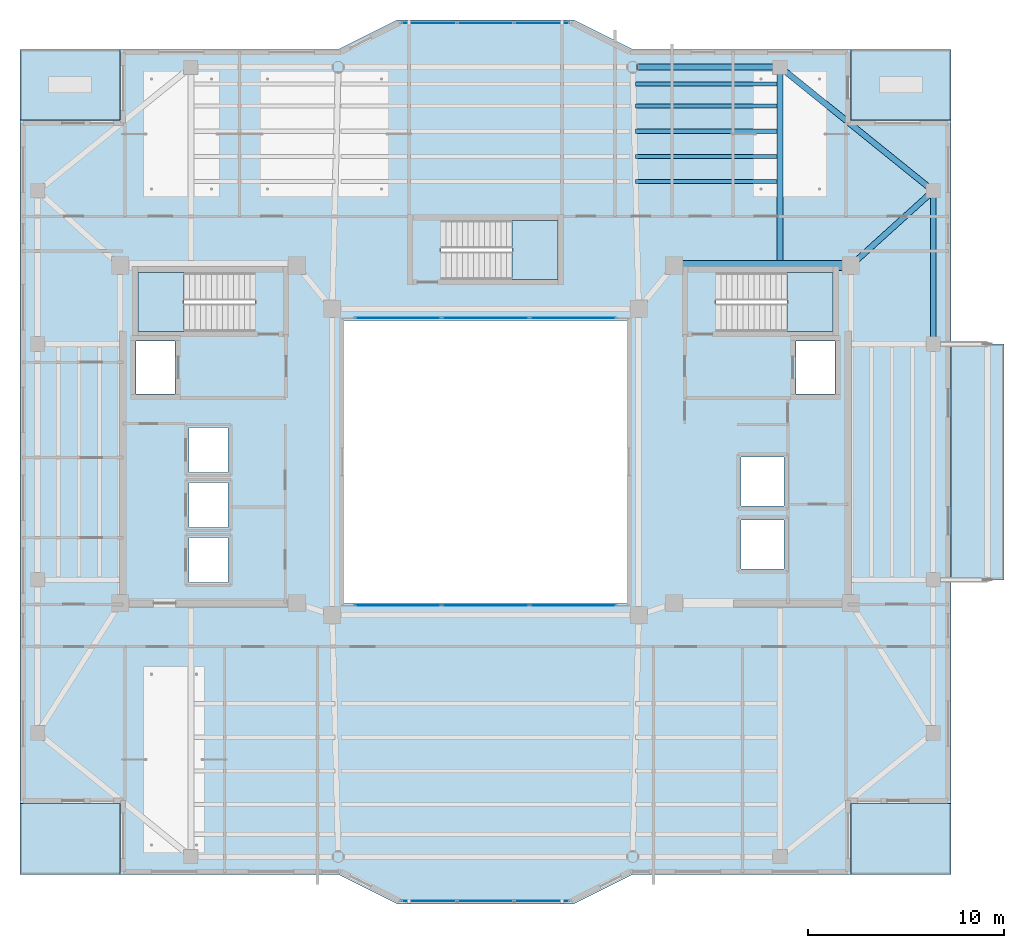
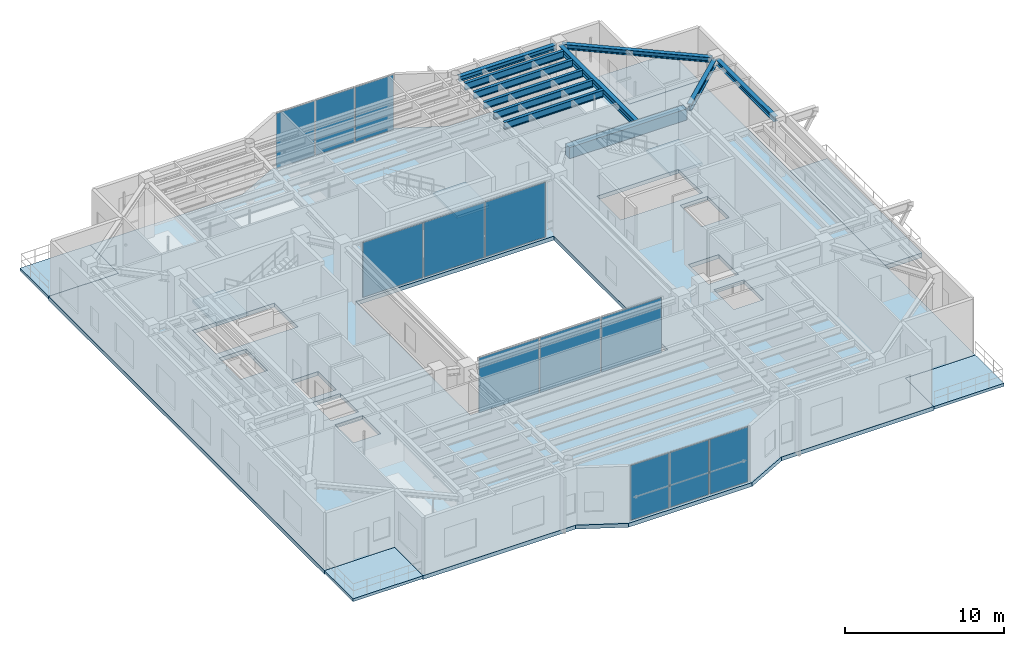
# One storey, part 9 of 23: 12 plates, 11 beams, 9 slabs, 7 elements without a shape of their own.
"""IFC4 building model written with IfcOpenShell, lengths in metres."""

import ifcopenshell
import ifcopenshell.guid

model = None  # the IFC model being written
_history = None  # IfcOwnerHistory: only IFC2X3 demands one
_inside = {}  # id of a spatial element -> (the spatial element, [elements in it])
_under = {}  # id of a project, library or spatial element -> (it, [spatial elements below it])
_declared = {}  # id of a project -> (the project, [libraries it declares])
_typed = {}  # id of a type object -> (the type object, [elements of that type])
_made_of = {}  # id of a material, layer set ... -> (it, [elements and type objects made of it])


def new_model(schema):
    """Start an empty IFC model of exactly this schema.

    Asked for "IFC4X3", IfcOpenShell would pick the latest addendum, in which some entities
    have other attributes; the version numbers below select the first issue.
    IFC2X3 requires an IfcOwnerHistory on every rooted entity: one is made here for all.
    """
    global model, _history
    if schema == "IFC4X3":
        model = ifcopenshell.file(schema_version=(4, 3, 0, 0))
    else:
        model = ifcopenshell.file(schema=schema)
    _inside.clear()
    _under.clear()
    _declared.clear()
    _typed.clear()
    _made_of.clear()
    _history = None
    if model.schema == "IFC2X3":
        org = make("IfcOrganization", Name="unknown")
        user = make(
            "IfcPersonAndOrganization",
            ThePerson=make("IfcPerson", FamilyName="unknown"),
            TheOrganization=org,
        )
        app = make(
            "IfcApplication",
            ApplicationDeveloper=org,
            Version="unknown",
            ApplicationFullName="unknown",
            ApplicationIdentifier="unknown",
        )
        _history = make(
            "IfcOwnerHistory",
            OwningUser=user,
            OwningApplication=app,
            ChangeAction="ADDED",
            CreationDate=0,
        )
    return model


def make(cls, **values):
    """One entity of the class cls with the attributes given. An attribute that is None is left unset."""
    return model.create_entity(
        cls, **{name: value for name, value in values.items() if value is not None}
    )


def rooted(cls, **values):
    """An entity with a GlobalId (a new one), such as an element, a storey or a relation."""
    return make(cls, GlobalId=ifcopenshell.guid.new(), OwnerHistory=_history, **values)


def si_unit(unit_type, name, prefix=None):
    """IfcSIUnit, for example si_unit("LENGTHUNIT", "METRE", prefix="MILLI")."""
    return make("IfcSIUnit", UnitType=unit_type, Prefix=prefix, Name=name)


def assignment(units):
    """IfcUnitAssignment: the units of a project."""
    return None if units is None else make("IfcUnitAssignment", Units=units)


def point(xyz):
    """IfcCartesianPoint."""
    return None if xyz is None else make("IfcCartesianPoint", Coordinates=xyz)


def direction(xyz):
    """IfcDirection."""
    return None if xyz is None else make("IfcDirection", DirectionRatios=xyz)


def frame(location, z_axis=None, x_axis=None):
    """IfcAxis2Placement3D, a coordinate frame: its origin and axes. An axis left out is left unset."""
    return make(
        "IfcAxis2Placement3D",
        Location=point(location),
        Axis=direction(z_axis),
        RefDirection=direction(x_axis),
    )


def frame_2d(location, x_axis=None):
    """IfcAxis2Placement2D, a coordinate frame in the plane: its origin and x axis."""
    return make(
        "IfcAxis2Placement2D", Location=point(location), RefDirection=direction(x_axis)
    )


def origin():
    """The frame at (0, 0, 0) with its axes left unset."""
    return frame((0.0, 0.0, 0.0))


def origin_2d():
    """The frame at (0, 0) in the plane with its x axis left unset."""
    return frame_2d((0.0, 0.0))


def place(relative_to, where):
    """IfcLocalPlacement: puts the frame where relative to a parent placement (None: the world)."""
    return make(
        "IfcLocalPlacement", PlacementRelTo=relative_to, RelativePlacement=where
    )


def context(
    kind, dimensions, precision=None, world=None, true_north=None, identifier=None
):
    """IfcGeometricRepresentationContext, for example the 3D "Model" context."""
    return make(
        "IfcGeometricRepresentationContext",
        ContextIdentifier=identifier,
        ContextType=kind,
        CoordinateSpaceDimension=dimensions,
        Precision=precision,
        WorldCoordinateSystem=world,
        TrueNorth=true_north,
    )


def subcontext(parent, identifier, kind, view, scale=None):
    """IfcGeometricRepresentationSubContext, for example "Body" below "Model"."""
    return make(
        "IfcGeometricRepresentationSubContext",
        ContextIdentifier=identifier,
        ContextType=kind,
        ParentContext=parent,
        TargetScale=scale,
        TargetView=view,
    )


def project(units=None, contexts=None):
    """IfcProject with its units and contexts."""
    return rooted(
        "IfcProject",
        Name="project",
        RepresentationContexts=contexts,
        UnitsInContext=assignment(units),
    )


def spatial(cls, under=None, at=None, **own):
    """A site, building, storey or space (cls), placed at a placement, below another one or the project."""
    s = rooted(cls, ObjectPlacement=at, **own)
    if under is not None:
        _under.setdefault(under.id(), (under, []))[1].append(s)
    return s


def polyline(points):
    """IfcPolyline through the points."""
    return make("IfcPolyline", Points=[point(p) for p in points])


def profile(cls, at=None, kind="AREA", **sizes):
    """A parametric profile (cls). Its sizes go by their IFC names, for example OverallWidth=200.0."""
    return make(cls, ProfileType=kind, Position=at, **sizes)


def rectangle(**sizes):
    """IfcRectangleProfileDef."""
    return profile("IfcRectangleProfileDef", **sizes)


def i_section(**sizes):
    """IfcIShapeProfileDef."""
    return profile("IfcIShapeProfileDef", **sizes)


def outline(outer, holes=None, kind="AREA"):
    """IfcArbitraryClosedProfileDef: a profile drawn as a closed curve; with holes, ...WithVoids."""
    if holes is None:
        return make("IfcArbitraryClosedProfileDef", ProfileType=kind, OuterCurve=outer)
    return make(
        "IfcArbitraryProfileDefWithVoids",
        ProfileType=kind,
        OuterCurve=outer,
        InnerCurves=holes,
    )


def extrude(swept, where, along, depth):
    """IfcExtrudedAreaSolid: the profile swept, set in the frame where, extruded along a direction by depth."""
    return make(
        "IfcExtrudedAreaSolid",
        SweptArea=swept,
        Position=where,
        ExtrudedDirection=direction(along),
        Depth=depth,
    )


def shape(context_of_items, identifier, shape_type, items):
    """IfcShapeRepresentation: the items that make up one representation, for example the "Body"."""
    return make(
        "IfcShapeRepresentation",
        ContextOfItems=context_of_items,
        RepresentationIdentifier=identifier,
        RepresentationType=shape_type,
        Items=items,
    )


def material(Name=None, Category=None):
    """IfcMaterial."""
    return make("IfcMaterial", Name=Name, Category=Category)


def layer(
    of_material, thickness, ventilated=None, Name=None, Category=None, Priority=None
):
    """IfcMaterialLayer: one layer of a wall or slab, of a material (None: an air gap)."""
    return make(
        "IfcMaterialLayer",
        Material=of_material,
        LayerThickness=thickness,
        IsVentilated=ventilated,
        Name=Name,
        Category=Category,
        Priority=Priority,
    )


def layer_set(layers, Name=None):
    """IfcMaterialLayerSet."""
    return make("IfcMaterialLayerSet", MaterialLayers=layers, LayerSetName=Name)


def material_profile(
    of_material, cross_section, Name=None, Category=None, Priority=None
):
    """IfcMaterialProfile: a cross section and its material."""
    return make(
        "IfcMaterialProfile",
        Name=Name,
        Material=of_material,
        Profile=cross_section,
        Priority=Priority,
        Category=Category,
    )


def profile_set(profiles, Name=None, composite=None):
    """IfcMaterialProfileSet."""
    return make(
        "IfcMaterialProfileSet",
        Name=Name,
        MaterialProfiles=profiles,
        CompositeProfile=composite,
    )


def made_of(thing, what):
    """Note that an element or type object is made of a material, layer set ...; save() writes the relation."""
    if what is not None:
        _made_of.setdefault(what.id(), (what, []))[1].append(thing)
    return thing


def type_object(cls, material=None, **own):
    """A type object (cls), such as IfcWallType, which elements share."""
    return made_of(rooted(cls, **own), material)


def element(
    cls,
    number,
    at=None,
    inside=None,
    cuts=None,
    type_object=None,
    material=None,
    context=None,
    identifier="Body",
    shape_type=None,
    held_by="IfcProductDefinitionShape",
    body=None,
    shapes=None,
    **own,
):
    """One element of the class cls, such as IfcWall. Its Tag is "e" and its number.

    at: its placement. inside: the storey or other place that contains it. cuts: it is an
    opening in that element (IfcRelVoidsElement). A single representation is given by context,
    identifier, shape_type and body (its items); several are given by shapes. held_by: the class
    of the entity that holds the representations. save() writes the other relations.
    """
    e = rooted(cls, Tag="e%d" % number, ObjectPlacement=at, **own)
    if body is not None:
        shapes = [shape(context, identifier, shape_type, body)]
    if shapes is not None:
        e.Representation = make(held_by, Representations=shapes)
    if inside is not None:
        _inside.setdefault(inside.id(), (inside, []))[1].append(e)
    if cuts is not None:
        rooted(
            "IfcRelVoidsElement", RelatingBuildingElement=cuts, RelatedOpeningElement=e
        )
    if type_object is not None:
        _typed.setdefault(type_object.id(), (type_object, []))[1].append(e)
    return made_of(e, material)


def aggregate(whole, parts):
    """IfcRelAggregates: a whole, such as a stair, and the parts it consists of."""
    return rooted("IfcRelAggregates", RelatingObject=whole, RelatedObjects=parts)


def save(model, path):
    """Write the relations noted so far, then the file.

    IfcRelAggregates (storeys below a building ...), IfcRelContainedInSpatialStructure (elements
    in a storey), IfcRelDefinesByType, IfcRelAssociatesMaterial and IfcRelDeclares: one each for
    every whole, place, type object, material and project.
    """
    for whole, parts in _under.values():
        aggregate(whole, parts)
    for where, things in _inside.values():
        rooted(
            "IfcRelContainedInSpatialStructure",
            RelatedElements=things,
            RelatingStructure=where,
        )
    for kind, things in _typed.values():
        rooted("IfcRelDefinesByType", RelatedObjects=things, RelatingType=kind)
    for what, things in _made_of.values():
        rooted("IfcRelAssociatesMaterial", RelatedObjects=things, RelatingMaterial=what)
    for by, libraries in _declared.values():
        rooted("IfcRelDeclares", RelatingContext=by, RelatedDefinitions=libraries)
    model.write(path)


model = new_model("IFC4")

# Units and contexts
model_context = context("Model", 3, precision=1e-05, world=origin(), true_north=direction((0.0, 1.0)))
body_context = subcontext(model_context, "Body", "Model", "MODEL_VIEW")
ifc_project = project(units=[si_unit("LENGTHUNIT", "METRE"), si_unit("AREAUNIT", "SQUARE_METRE"), si_unit("VOLUMEUNIT", "CUBIC_METRE"), si_unit("PLANEANGLEUNIT", "RADIAN"), si_unit("MASSUNIT", "GRAM", prefix="KILO")], contexts=[model_context])

# Site, building, storey
site_placement = place(None, origin())
site = spatial("IfcSite", under=ifc_project, at=site_placement, CompositionType="ELEMENT")
building_placement = place(site_placement, origin())
building = spatial("IfcBuilding", under=site, at=building_placement, Name="Tarnavaz Court Tower", CompositionType="ELEMENT")
storey_placement = place(building_placement, frame((0.0, 0.0, 227.10009765625)))
storey = spatial("IfcBuildingStorey", under=building, at=storey_placement, Name="L62", CompositionType="ELEMENT", Elevation=227.10009765625)

# Beams
ifc_material_1 = material(Name="Concrete C50/60", Category="concrete")
ifc_material_profile_1 = material_profile(ifc_material_1, rectangle(XDim=0.5, YDim=0.85009765625, at=origin_2d()), Name="RC 500X850")
ifc_profile_set_1 = profile_set([ifc_material_profile_1], Name="Concrete C50/60")
beam_type_1 = type_object("IfcBeamType", Name="BM-CB850", PredefinedType="LINTEL", material=ifc_profile_set_1)
beam_1_placement = place(storey_placement, frame((18.3798828125, 10.0, 3.9248046875), z_axis=(-1.0, 0.0, 0.0), x_axis=(0.0, -1.0, 0.0)))
element("IfcBeam", 1, at=beam_1_placement, inside=storey, type_object=beam_type_1, Name="L62 Beam IN-CE-NO-CE-NI", PredefinedType="LINTEL", context=body_context, shape_type="SweptSolid", body=[
    extrude(rectangle(XDim=0.5, YDim=0.85009765625, at=origin_2d()), origin(), (0.0, 0.0, 1.0), 8.559814453125),
])
ifc_material_2 = material(Name="Steel S355", Category="steel")
ifc_material_profile_2 = material_profile(ifc_material_2, i_section(OverallWidth=0.300048828125, OverallDepth=0.5, WebThickness=0.014404296875, FlangeThickness=0.028076171875, FilletRadius=0.027099609375, at=origin_2d()), Name="HEB 500")
ifc_profile_set_2 = profile_set([ifc_material_profile_2], Name="Steel S355")
beam_type_2 = type_object("IfcBeamType", Name="BM-G-HEB500", PredefinedType="USERDEFINED", material=ifc_profile_set_2)
beam_2_placement = place(storey_placement, frame((15.0, 10.0400390625, 4.099853515625), z_axis=(0.0, 1.0, 0.0), x_axis=(-1.0, 0.0, 0.0)))
element("IfcBeam", 2, at=beam_2_placement, inside=storey, type_object=beam_type_2, Name="L62 Beam RG-04", ObjectType="GIRDER", PredefinedType="USERDEFINED", context=body_context, shape_type="SweptSolid", body=[
    extrude(i_section(OverallWidth=0.300048828125, OverallDepth=0.5, WebThickness=0.014404296875, FlangeThickness=0.028076171875, FilletRadius=0.027099609375, at=origin_2d()), origin(), (0.0, 0.0, 1.0), 9.83984375),
])
beam_3_placement = place(storey_placement, frame((18.76318359375, 10.147705078125, 4.099853515625), z_axis=(0.741555708494, 0.670891296113, 0.0), x_axis=(-0.670891296113, 0.741555708494, 0.0)))
element("IfcBeam", 3, at=beam_3_placement, inside=storey, type_object=beam_type_2, Name="L62 Beam RG-12", ObjectType="GIRDER", PredefinedType="USERDEFINED", context=body_context, shape_type="SweptSolid", body=[
    extrude(i_section(OverallWidth=0.300048828125, OverallDepth=0.5, WebThickness=0.014404296875, FlangeThickness=0.028076171875, FilletRadius=0.027099609375, at=origin_2d()), origin(), (0.0, 0.0, 1.0), 5.223876953125),
])
ifc_material_profile_3 = material_profile(ifc_material_2, i_section(OverallWidth=0.2099609375, OverallDepth=0.550048828125, WebThickness=0.010986328125, FlangeThickness=0.01708984375, FilletRadius=0.02392578125, at=origin_2d()), Name="IPE 550")
ifc_profile_set_3 = profile_set([ifc_material_profile_3], Name="Steel S355")
beam_type_3 = type_object("IfcBeamType", Name="BM-J-IPE550", PredefinedType="JOIST", material=ifc_profile_set_3)
for number, where, z_axis, x_axis, name in (
    (4, (7.64990234375, 14.278076171875, 4.074951171875), (1.0, 0.0, 0.0), (0.0, 1.0, 0.0), "L62 Beam JN1-3"),
    (5, (7.64990234375, 15.555908203125, 4.074951171875), (1.0, 0.0, 0.0), (0.0, 1.0, 0.0), "L62 Beam JN2-3"),
    (6, (7.64990234375, 16.833984375, 4.074951171875), (1.0, 0.0, 0.0), (0.0, 1.0, 0.0), "L62 Beam JN3-3"),
    (7, (7.64990234375, 18.112060546875, 4.074951171875), (1.0, 0.0, 0.0), (0.0, 1.0, 0.0), "L62 Beam JN4-3"),
    (8, (7.64990234375, 19.248046875, 4.074951171875), (1.0, 0.0, 0.0), (0.0, 1.0, 0.0), "L62 Beam JN5-3"),
):
    element("IfcBeam", number, at=place(storey_placement, frame(where, z_axis=z_axis, x_axis=x_axis)), inside=storey, type_object=beam_type_3, Name=name, PredefinedType="JOIST", context=body_context, shape_type="SweptSolid", body=[
        extrude(i_section(OverallWidth=0.2099609375, OverallDepth=0.550048828125, WebThickness=0.010986328125, FlangeThickness=0.01708984375, FilletRadius=0.02392578125, at=origin_2d()), origin(), (0.0, 0.0, 1.0), 7.2001953125),
    ])
ifc_material_profile_4 = material_profile(ifc_material_2, i_section(OverallWidth=0.300048828125, OverallDepth=0.389892578125, WebThickness=0.010986328125, FlangeThickness=0.01904296875, FilletRadius=0.027099609375, at=origin_2d()), Name="HEA 400")
ifc_profile_set_4 = profile_set([ifc_material_profile_4], Name="Steel S355")
beam_type_4 = type_object("IfcBeamType", Name="BM-SP-HEA400", PredefinedType="BEAM", material=ifc_profile_set_4)
beam_4_placement = place(storey_placement, frame((7.719970703125, 20.10009765625, 4.15478515625), z_axis=(1.0, 0.0, 0.0), x_axis=(0.0, 1.0, 0.0)))
element("IfcBeam", 9, at=beam_4_placement, inside=storey, type_object=beam_type_4, Name="L62 Beam PR-PN-3-PN-4", PredefinedType="BEAM", context=body_context, shape_type="SweptSolid", body=[
    extrude(i_section(OverallWidth=0.300048828125, OverallDepth=0.389892578125, WebThickness=0.010986328125, FlangeThickness=0.01904296875, FilletRadius=0.027099609375, at=origin_2d()), origin(), (0.0, 0.0, 1.0), 7.06005859375),
])
beam_5_placement = place(storey_placement, frame((22.800048828125, 6.219970703125, 4.15478515625), z_axis=(0.0, 1.0, 0.0), x_axis=(-1.0, 0.0, 0.0)))
element("IfcBeam", 10, at=beam_5_placement, inside=storey, type_object=beam_type_4, Name="L62 Beam PR-PE-3-PE-4", PredefinedType="BEAM", context=body_context, shape_type="SweptSolid", body=[
    extrude(i_section(OverallWidth=0.300048828125, OverallDepth=0.389892578125, WebThickness=0.010986328125, FlangeThickness=0.01904296875, FilletRadius=0.027099609375, at=origin_2d()), origin(), (0.0, 0.0, 1.0), 7.360107421875),
])
beam_6_placement = place(storey_placement, frame((15.171142578125, 19.9619140625, 4.15478515625), z_axis=(0.777935913531, -0.628343627674, 0.0), x_axis=(0.628343627674, 0.777935913531, 0.0)))
element("IfcBeam", 11, at=beam_6_placement, inside=storey, type_object=beam_type_4, Name="L62 Beam PR-PN-4-PE-4", PredefinedType="BEAM", context=body_context, shape_type="SweptSolid", body=[
    extrude(i_section(OverallWidth=0.300048828125, OverallDepth=0.389892578125, WebThickness=0.010986328125, FlangeThickness=0.01904296875, FilletRadius=0.027099609375, at=origin_2d()), origin(), (0.0, 0.0, 1.0), 9.586669921875),
])

# Curtain wall, plates
ifc_material_3 = material(Name="Anodised Aluminium 6063-T6 and Solar Low-E Glazing", Category="aluminium")
ifc_layer_1 = layer(ifc_material_3, 0.139892578125)
ifc_layer_set_1 = layer_set([ifc_layer_1], Name="Anodised Aluminium 6063-T6 and Solar Low-E Glazing")
curtain_wall_type_1 = type_object("IfcCurtainWallType", Name="CW-SYS-04", PredefinedType="NOTDEFINED", material=ifc_layer_set_1)
curtain_wall_1_placement = place(storey_placement, origin())
curtain_wall_1 = element("IfcCurtainWall", 12, at=curtain_wall_1_placement, inside=storey, type_object=curtain_wall_type_1, Name="L62 Badgir Courtyard Curtain Wall S", PredefinedType="NOTDEFINED")
ifc_material_4 = material(Name="Double-Glazed Solar Low-E Glass", Category="glass")
ifc_layer_2 = layer(ifc_material_4, 0.028076171875)
ifc_layer_set_2 = layer_set([ifc_layer_2], Name="Double-Glazed Solar Low-E Glass")
plate_type = type_object("IfcPlateType", Name="CW-PAN-GLZ28", PredefinedType="CURTAIN_PANEL", material=ifc_layer_set_2)
plate_1_placement = place(storey_placement, frame((-4.461181640625, -7.320068359375, 0.06494140625), z_axis=(0.0, 0.0, 1.0), x_axis=(1.0, 0.0, 0.0)))
plate_1 = element("IfcPlate", 13, at=plate_1_placement, type_object=plate_type, Name="CW panel 1.1", PredefinedType="CURTAIN_PANEL", context=body_context, shape_type="SweptSolid", body=[
    extrude(rectangle(XDim=4.367431640625, YDim=0.028076171875, at=origin_2d()), origin(), (0.0, 0.0, 1.0), 4.219970703125),
])
plate_2_placement = place(storey_placement, frame((0.0, -7.320068359375, 0.06494140625), z_axis=(0.0, 0.0, 1.0), x_axis=(1.0, 0.0, 0.0)))
plate_2 = element("IfcPlate", 14, at=plate_2_placement, type_object=plate_type, Name="CW panel 2.1", PredefinedType="CURTAIN_PANEL", context=body_context, shape_type="SweptSolid", body=[
    extrude(rectangle(XDim=4.405029296875, YDim=0.028076171875, at=origin_2d()), origin(), (0.0, 0.0, 1.0), 4.219970703125),
])
plate_3_placement = place(storey_placement, frame((4.461181640625, -7.320068359375, 0.06494140625), z_axis=(0.0, 0.0, 1.0), x_axis=(1.0, 0.0, 0.0)))
plate_3 = element("IfcPlate", 15, at=plate_3_placement, type_object=plate_type, Name="CW panel 3.1", PredefinedType="CURTAIN_PANEL", context=body_context, shape_type="SweptSolid", body=[
    extrude(rectangle(XDim=4.367431640625, YDim=0.028076171875, at=origin_2d()), origin(), (0.0, 0.0, 1.0), 4.219970703125),
])
aggregate(curtain_wall_1, [plate_1, plate_2, plate_3])

curtain_wall_2_placement = place(storey_placement, origin())
curtain_wall_2 = element("IfcCurtainWall", 16, at=curtain_wall_2_placement, inside=storey, type_object=curtain_wall_type_1, Name="L62 Badgir Courtyard Curtain Wall N", PredefinedType="NOTDEFINED")
plate_4_placement = place(storey_placement, frame((4.461181640625, 7.320068359375, 0.06494140625), z_axis=(0.0, 0.0, 1.0), x_axis=(-1.0, 0.0, 0.0)))
plate_4 = element("IfcPlate", 17, at=plate_4_placement, type_object=plate_type, Name="CW panel 1.1", PredefinedType="CURTAIN_PANEL", context=body_context, shape_type="SweptSolid", body=[
    extrude(rectangle(XDim=4.367431640625, YDim=0.028076171875, at=origin_2d()), origin(), (0.0, 0.0, 1.0), 4.219970703125),
])
plate_5_placement = place(storey_placement, frame((0.0, 7.320068359375, 0.06494140625), z_axis=(0.0, 0.0, 1.0), x_axis=(-1.0, 0.0, 0.0)))
plate_5 = element("IfcPlate", 18, at=plate_5_placement, type_object=plate_type, Name="CW panel 2.1", PredefinedType="CURTAIN_PANEL", context=body_context, shape_type="SweptSolid", body=[
    extrude(rectangle(XDim=4.405029296875, YDim=0.028076171875, at=origin_2d()), origin(), (0.0, 0.0, 1.0), 4.219970703125),
])
plate_6_placement = place(storey_placement, frame((-4.461181640625, 7.320068359375, 0.06494140625), z_axis=(0.0, 0.0, 1.0), x_axis=(-1.0, 0.0, 0.0)))
plate_6 = element("IfcPlate", 19, at=plate_6_placement, type_object=plate_type, Name="CW panel 3.1", PredefinedType="CURTAIN_PANEL", context=body_context, shape_type="SweptSolid", body=[
    extrude(rectangle(XDim=4.367431640625, YDim=0.028076171875, at=origin_2d()), origin(), (0.0, 0.0, 1.0), 4.219970703125),
])
aggregate(curtain_wall_2, [plate_4, plate_5, plate_6])

ifc_layer_3 = layer(ifc_material_3, 0.159912109375)
ifc_layer_set_3 = layer_set([ifc_layer_3], Name="Anodised Aluminium 6063-T6 and Solar Low-E Glazing")
curtain_wall_type_2 = type_object("IfcCurtainWallType", Name="CW-SYS-03", PredefinedType="NOTDEFINED", material=ifc_layer_set_3)
curtain_wall_3_placement = place(storey_placement, origin())
curtain_wall_3 = element("IfcCurtainWall", 20, at=curtain_wall_3_placement, inside=storey, type_object=curtain_wall_type_2, Name="L62 Iwan Prow Curtain Wall 7", PredefinedType="NOTDEFINED")
plate_7_placement = place(storey_placement, frame((-2.88134765625, 22.35009765625, 0.06494140625), z_axis=(0.0, 0.0, 1.0), x_axis=(1.0, 0.0, 0.0)))
plate_7 = element("IfcPlate", 21, at=plate_7_placement, type_object=plate_type, Name="CW panel 1.1", PredefinedType="CURTAIN_PANEL", context=body_context, shape_type="SweptSolid", body=[
    extrude(rectangle(XDim=2.78759765625, YDim=0.028076171875, at=origin_2d()), origin(), (0.0, 0.0, 1.0), 4.219970703125),
])
plate_8_placement = place(storey_placement, frame((0.0, 22.35009765625, 0.06494140625), z_axis=(0.0, 0.0, 1.0), x_axis=(1.0, 0.0, 0.0)))
plate_8 = element("IfcPlate", 22, at=plate_8_placement, type_object=plate_type, Name="CW panel 2.1", PredefinedType="CURTAIN_PANEL", context=body_context, shape_type="SweptSolid", body=[
    extrude(rectangle(XDim=2.824951171875, YDim=0.028076171875, at=origin_2d()), origin(), (0.0, 0.0, 1.0), 4.219970703125),
])
plate_9_placement = place(storey_placement, frame((2.88134765625, 22.35009765625, 0.06494140625), z_axis=(0.0, 0.0, 1.0), x_axis=(1.0, 0.0, 0.0)))
plate_9 = element("IfcPlate", 23, at=plate_9_placement, type_object=plate_type, Name="CW panel 3.1", PredefinedType="CURTAIN_PANEL", context=body_context, shape_type="SweptSolid", body=[
    extrude(rectangle(XDim=2.78759765625, YDim=0.028076171875, at=origin_2d()), origin(), (0.0, 0.0, 1.0), 4.219970703125),
])
aggregate(curtain_wall_3, [plate_7, plate_8, plate_9])

curtain_wall_4_placement = place(storey_placement, origin())
curtain_wall_4 = element("IfcCurtainWall", 24, at=curtain_wall_4_placement, inside=storey, type_object=curtain_wall_type_2, Name="L62 Iwan Prow Curtain Wall 17", PredefinedType="NOTDEFINED")
plate_10_placement = place(storey_placement, frame((2.88134765625, -22.35009765625, 0.06494140625), z_axis=(0.0, 0.0, 1.0), x_axis=(-1.0, 0.0, 0.0)))
plate_10 = element("IfcPlate", 25, at=plate_10_placement, type_object=plate_type, Name="CW panel 1.1", PredefinedType="CURTAIN_PANEL", context=body_context, shape_type="SweptSolid", body=[
    extrude(rectangle(XDim=2.78759765625, YDim=0.028076171875, at=origin_2d()), origin(), (0.0, 0.0, 1.0), 4.219970703125),
])
plate_11_placement = place(storey_placement, frame((0.0, -22.35009765625, 0.06494140625), z_axis=(0.0, 0.0, 1.0), x_axis=(-1.0, 0.0, 0.0)))
plate_11 = element("IfcPlate", 26, at=plate_11_placement, type_object=plate_type, Name="CW panel 2.1", PredefinedType="CURTAIN_PANEL", context=body_context, shape_type="SweptSolid", body=[
    extrude(rectangle(XDim=2.824951171875, YDim=0.028076171875, at=origin_2d()), origin(), (0.0, 0.0, 1.0), 4.219970703125),
])
plate_12_placement = place(storey_placement, frame((-2.88134765625, -22.35009765625, 0.06494140625), z_axis=(0.0, 0.0, 1.0), x_axis=(-1.0, 0.0, 0.0)))
plate_12 = element("IfcPlate", 27, at=plate_12_placement, type_object=plate_type, Name="CW panel 3.1", PredefinedType="CURTAIN_PANEL", context=body_context, shape_type="SweptSolid", body=[
    extrude(rectangle(XDim=2.78759765625, YDim=0.028076171875, at=origin_2d()), origin(), (0.0, 0.0, 1.0), 4.219970703125),
])
aggregate(curtain_wall_4, [plate_10, plate_11, plate_12])

# Stair, slab
ifc_material_5 = material(Name="Concrete C40/50", Category="concrete")
stair_type = type_object("IfcStairType", Name="ST-TWR-28R", PredefinedType="HALF_TURN_STAIR", material=ifc_material_5)
stair_1_placement = place(storey_placement, origin())
stair_1 = element("IfcStair", 28, at=stair_1_placement, inside=storey, type_object=stair_type, Name="L62 West Core Pressurized Exit Stair ST-W1", PredefinedType="HALF_TURN_STAIR")
ifc_layer_4 = layer(ifc_material_5, 0.199951171875)
ifc_layer_set_4 = layer_set([ifc_layer_4], Name="Concrete C40/50")
slab_type_1 = type_object("IfcSlabType", Name="SL-LAND-200", PredefinedType="LANDING", material=ifc_layer_set_4)
slab_1_placement = place(storey_placement, frame((0.0, 0.0, 2.125)))
slab_1 = element("IfcSlab", 29, at=slab_1_placement, type_object=slab_type_1, Name="ST-W1 landing 1", PredefinedType="LANDING", context=body_context, shape_type="SweptSolid", body=[
    extrude(outline(polyline([(-15.360107421875, 9.639892578125), (-17.699951171875, 9.639892578125), (-17.699951171875, 6.64990234375), (-15.360107421875, 6.64990234375), (-15.360107421875, 9.639892578125)])), origin(), (0.0, 0.0, 1.0), 0.199951171875),
])
aggregate(stair_1, [slab_1])

stair_2_placement = place(storey_placement, origin())
stair_2 = element("IfcStair", 30, at=stair_2_placement, inside=storey, type_object=stair_type, Name="L62 East Core Pressurized Exit Stair ST-E1", PredefinedType="HALF_TURN_STAIR")
slab_2_placement = place(storey_placement, frame((0.0, 0.0, 2.125)))
slab_2 = element("IfcSlab", 31, at=slab_2_placement, type_object=slab_type_1, Name="ST-E1 landing 1", PredefinedType="LANDING", context=body_context, shape_type="SweptSolid", body=[
    extrude(outline(polyline([(15.360107421875, 6.64990234375), (17.699951171875, 6.64990234375), (17.699951171875, 9.639892578125), (15.360107421875, 9.639892578125), (15.360107421875, 6.64990234375)])), origin(), (0.0, 0.0, 1.0), 0.199951171875),
])
aggregate(stair_2, [slab_2])

stair_3_placement = place(storey_placement, origin())
stair_3 = element("IfcStair", 32, at=stair_3_placement, inside=storey, type_object=stair_type, Name="L62 North Ring Pressurized Exit Stair ST-N1", PredefinedType="HALF_TURN_STAIR")
slab_3_placement = place(storey_placement, frame((0.0, 0.0, 2.125)))
slab_3 = element("IfcSlab", 33, at=slab_3_placement, type_object=slab_type_1, Name="ST-N1 landing 1", PredefinedType="LANDING", context=body_context, shape_type="SweptSolid", body=[
    extrude(outline(polyline([(1.360107421875, 9.300048828125), (3.699951171875, 9.300048828125), (3.699951171875, 12.2900390625), (1.360107421875, 12.2900390625), (1.360107421875, 9.300048828125)])), origin(), (0.0, 0.0, 1.0), 0.199951171875),
])
aggregate(stair_3, [slab_3])

# Slabs
ifc_layer_5 = layer(ifc_material_5, 0.300048828125)
ifc_layer_set_5 = layer_set([ifc_layer_5], Name="Concrete C40/50")
slab_type_2 = type_object("IfcSlabType", Name="SL-POD-300", PredefinedType="FLOOR", material=ifc_layer_set_5)
slab_4_placement = place(storey_placement, frame((0.0, 0.0, -0.300048828125)))
element("IfcSlab", 34, at=slab_4_placement, inside=storey, type_object=slab_type_2, Name="L62 Structural Floor Slab", PredefinedType="FLOOR", context=body_context, shape_type="SweptSolid", body=[
    extrude(outline(polyline([(-18.60009765625, -21.0), (-7.5, -21.0), (-4.5, -22.5), (4.5, -22.5), (7.5, -21.0), (18.60009765625, -21.0), (18.60009765625, -17.39990234375), (23.699951171875, -17.39990234375), (23.699951171875, 17.39990234375), (18.60009765625, 17.39990234375), (18.60009765625, 21.0), (7.5, 21.0), (4.5, 22.5), (-4.5, 22.5), (-7.5, 21.0), (-18.60009765625, 21.0), (-18.60009765625, 17.39990234375), (-23.699951171875, 17.39990234375), (-23.699951171875, -17.39990234375), (-18.60009765625, -17.39990234375), (-18.60009765625, -21.0)]), holes=[polyline([(-7.199951171875, -7.199951171875), (7.199951171875, -7.199951171875), (7.199951171875, 7.199951171875), (-7.199951171875, 7.199951171875), (-7.199951171875, -7.199951171875)]), polyline([(-11.7451171875, 9.639892578125), (-17.699951171875, 9.639892578125), (-17.699951171875, 6.64990234375), (-11.7451171875, 6.64990234375), (-11.7451171875, 9.639892578125)]), polyline([(11.7451171875, 6.64990234375), (17.699951171875, 6.64990234375), (17.699951171875, 9.639892578125), (11.7451171875, 9.639892578125), (11.7451171875, 6.64990234375)]), polyline([(-2.2548828125, 9.300048828125), (3.699951171875, 9.300048828125), (3.699951171875, 12.2900390625), (-2.2548828125, 12.2900390625), (-2.2548828125, 9.300048828125)]), polyline([(-17.800048828125, 3.449951171875), (-15.800048828125, 3.449951171875), (-15.800048828125, 6.14990234375), (-17.800048828125, 6.14990234375), (-17.800048828125, 3.449951171875)]), polyline([(-15.10009765625, -6.14990234375), (-13.10009765625, -6.14990234375), (-13.10009765625, -3.85009765625), (-15.10009765625, -3.85009765625), (-15.10009765625, -6.14990234375)]), polyline([(-15.10009765625, -3.35009765625), (-13.10009765625, -3.35009765625), (-13.10009765625, -1.050048828125), (-15.10009765625, -1.050048828125), (-15.10009765625, -3.35009765625)]), polyline([(-15.10009765625, -0.550048828125), (-13.10009765625, -0.550048828125), (-13.10009765625, 1.75), (-15.10009765625, 1.75), (-15.10009765625, -0.550048828125)]), polyline([(15.800048828125, 3.449951171875), (17.800048828125, 3.449951171875), (17.800048828125, 6.14990234375), (15.800048828125, 6.14990234375), (15.800048828125, 3.449951171875)]), polyline([(13.0, -5.449951171875), (15.199951171875, -5.449951171875), (15.199951171875, -2.949951171875), (13.0, -2.949951171875), (13.0, -5.449951171875)]), polyline([(13.0, -2.25), (15.199951171875, -2.25), (15.199951171875, 0.25), (13.0, 0.25), (13.0, -2.25)])]), origin(), (0.0, 0.0, 1.0), 0.300048828125),
])
ifc_layer_6 = layer(ifc_material_1, 0.35009765625)
ifc_layer_set_6 = layer_set([ifc_layer_6], Name="Concrete C50/60")
slab_type_3 = type_object("IfcSlabType", Name="SL-POOL-350", PredefinedType="FLOOR", material=ifc_layer_set_6)
slab_5_placement = place(storey_placement, frame((0.0, 0.0, -0.35009765625)))
element("IfcSlab", 35, at=slab_5_placement, inside=storey, type_object=slab_type_3, Name="L62 Cantilevered Sky Pool Basin & Deck", PredefinedType="FLOOR", context=body_context, shape_type="SweptSolid", body=[
    extrude(outline(polyline([(23.699951171875, -6.0), (26.39990234375, -6.0), (26.39990234375, 6.0), (23.699951171875, 6.0), (23.699951171875, -6.0)])), origin(), (0.0, 0.0, 1.0), 0.35009765625),
])
ifc_layer_7 = layer(ifc_material_5, 0.219970703125)
ifc_layer_set_7 = layer_set([ifc_layer_7], Name="Concrete C40/50")
slab_type_4 = type_object("IfcSlabType", Name="SL-TERR-220", PredefinedType="FLOOR", material=ifc_layer_set_7)
slab_6_placement = place(storey_placement, frame((0.0, 0.0, -0.22021484375)))
element("IfcSlab", 36, at=slab_6_placement, inside=storey, type_object=slab_type_4, Name="L62 NE Planted Sky Terrace", PredefinedType="FLOOR", context=body_context, shape_type="SweptSolid", body=[
    extrude(outline(polyline([(18.60009765625, 17.39990234375), (23.699951171875, 17.39990234375), (23.699951171875, 21.0), (18.60009765625, 21.0), (18.60009765625, 17.39990234375)])), origin(), (0.0, 0.0, 1.0), 0.22021484375),
])
slab_7_placement = place(storey_placement, frame((0.0, 0.0, -0.22021484375)))
element("IfcSlab", 37, at=slab_7_placement, inside=storey, type_object=slab_type_4, Name="L62 NW Planted Sky Terrace", PredefinedType="FLOOR", context=body_context, shape_type="SweptSolid", body=[
    extrude(outline(polyline([(-23.699951171875, 17.39990234375), (-18.60009765625, 17.39990234375), (-18.60009765625, 21.0), (-23.699951171875, 21.0), (-23.699951171875, 17.39990234375)])), origin(), (0.0, 0.0, 1.0), 0.22021484375),
])
slab_8_placement = place(storey_placement, frame((0.0, 0.0, -0.22021484375)))
element("IfcSlab", 38, at=slab_8_placement, inside=storey, type_object=slab_type_4, Name="L62 SE Planted Sky Terrace", PredefinedType="FLOOR", context=body_context, shape_type="SweptSolid", body=[
    extrude(outline(polyline([(18.60009765625, -21.0), (23.699951171875, -21.0), (23.699951171875, -17.39990234375), (18.60009765625, -17.39990234375), (18.60009765625, -21.0)])), origin(), (0.0, 0.0, 1.0), 0.22021484375),
])
slab_9_placement = place(storey_placement, frame((0.0, 0.0, -0.22021484375)))
element("IfcSlab", 39, at=slab_9_placement, inside=storey, type_object=slab_type_4, Name="L62 SW Planted Sky Terrace", PredefinedType="FLOOR", context=body_context, shape_type="SweptSolid", body=[
    extrude(outline(polyline([(-23.699951171875, -21.0), (-18.60009765625, -21.0), (-18.60009765625, -17.39990234375), (-23.699951171875, -17.39990234375), (-23.699951171875, -21.0)])), origin(), (0.0, 0.0, 1.0), 0.22021484375),
])

save(model, "model.ifc")
